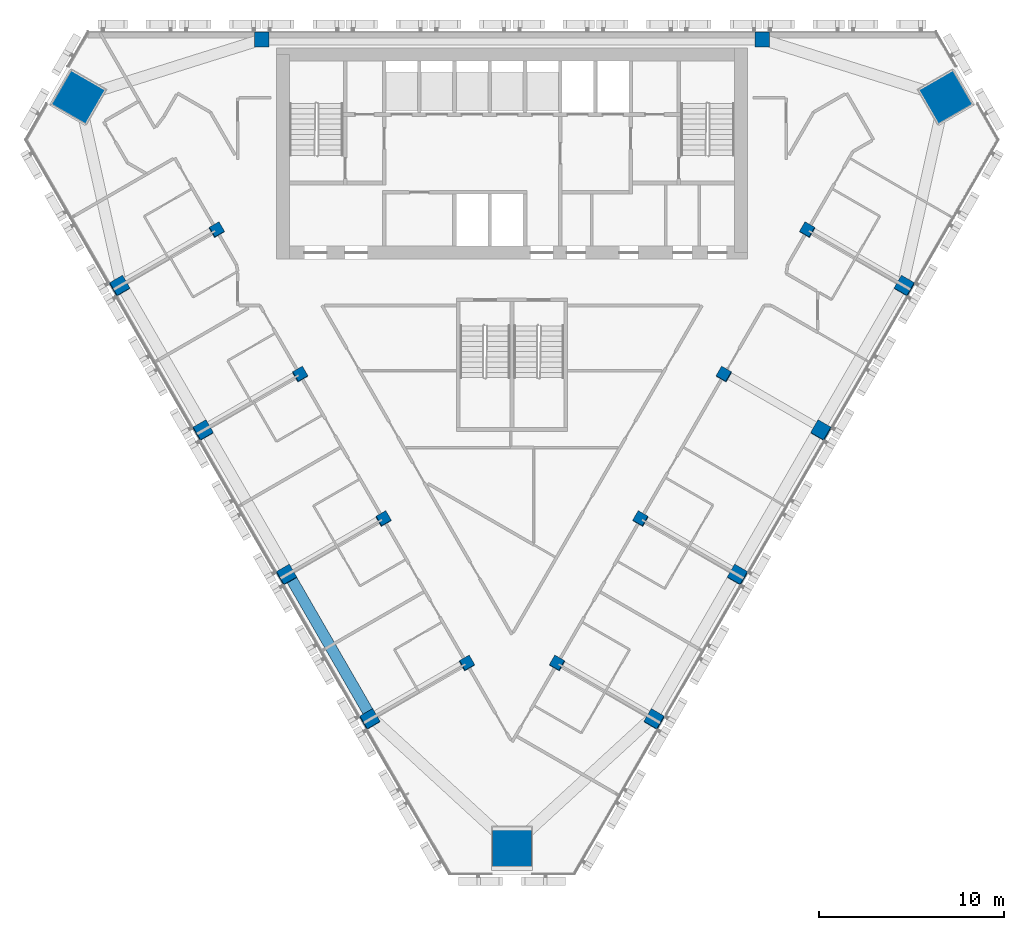
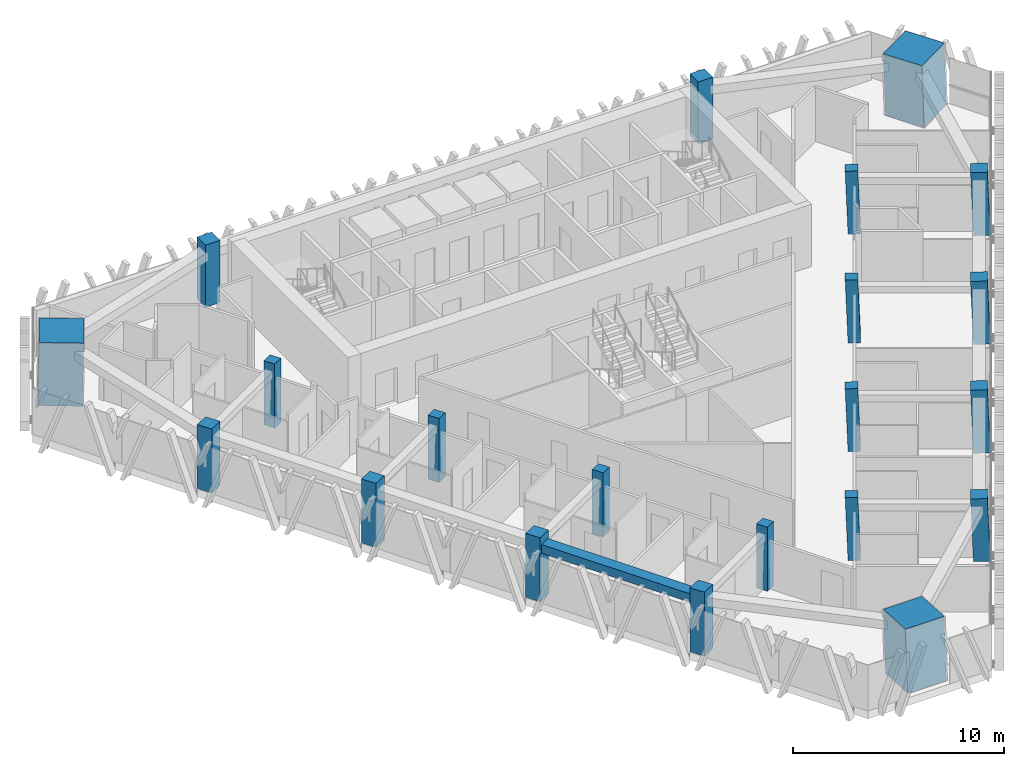
# One storey, part 1 of 16: 21 columns, 1 beam.
"""IFC4 building model written with IfcOpenShell, lengths in metres."""

import ifcopenshell
import ifcopenshell.guid

model = None  # the IFC model being written
_history = None  # IfcOwnerHistory: only IFC2X3 demands one
_inside = {}  # id of a spatial element -> (the spatial element, [elements in it])
_under = {}  # id of a project, library or spatial element -> (it, [spatial elements below it])
_declared = {}  # id of a project -> (the project, [libraries it declares])
_typed = {}  # id of a type object -> (the type object, [elements of that type])
_made_of = {}  # id of a material, layer set ... -> (it, [elements and type objects made of it])


def new_model(schema):
    """Start an empty IFC model of exactly this schema.

    Asked for "IFC4X3", IfcOpenShell would pick the latest addendum, in which some entities
    have other attributes; the version numbers below select the first issue.
    IFC2X3 requires an IfcOwnerHistory on every rooted entity: one is made here for all.
    """
    global model, _history
    if schema == "IFC4X3":
        model = ifcopenshell.file(schema_version=(4, 3, 0, 0))
    else:
        model = ifcopenshell.file(schema=schema)
    _inside.clear()
    _under.clear()
    _declared.clear()
    _typed.clear()
    _made_of.clear()
    _history = None
    if model.schema == "IFC2X3":
        org = make("IfcOrganization", Name="unknown")
        user = make(
            "IfcPersonAndOrganization",
            ThePerson=make("IfcPerson", FamilyName="unknown"),
            TheOrganization=org,
        )
        app = make(
            "IfcApplication",
            ApplicationDeveloper=org,
            Version="unknown",
            ApplicationFullName="unknown",
            ApplicationIdentifier="unknown",
        )
        _history = make(
            "IfcOwnerHistory",
            OwningUser=user,
            OwningApplication=app,
            ChangeAction="ADDED",
            CreationDate=0,
        )
    return model


def make(cls, **values):
    """One entity of the class cls with the attributes given. An attribute that is None is left unset."""
    return model.create_entity(
        cls, **{name: value for name, value in values.items() if value is not None}
    )


def rooted(cls, **values):
    """An entity with a GlobalId (a new one), such as an element, a storey or a relation."""
    return make(cls, GlobalId=ifcopenshell.guid.new(), OwnerHistory=_history, **values)


def si_unit(unit_type, name, prefix=None):
    """IfcSIUnit, for example si_unit("LENGTHUNIT", "METRE", prefix="MILLI")."""
    return make("IfcSIUnit", UnitType=unit_type, Prefix=prefix, Name=name)


def assignment(units):
    """IfcUnitAssignment: the units of a project."""
    return None if units is None else make("IfcUnitAssignment", Units=units)


def point(xyz):
    """IfcCartesianPoint."""
    return None if xyz is None else make("IfcCartesianPoint", Coordinates=xyz)


def direction(xyz):
    """IfcDirection."""
    return None if xyz is None else make("IfcDirection", DirectionRatios=xyz)


def frame(location, z_axis=None, x_axis=None):
    """IfcAxis2Placement3D, a coordinate frame: its origin and axes. An axis left out is left unset."""
    return make(
        "IfcAxis2Placement3D",
        Location=point(location),
        Axis=direction(z_axis),
        RefDirection=direction(x_axis),
    )


def frame_2d(location, x_axis=None):
    """IfcAxis2Placement2D, a coordinate frame in the plane: its origin and x axis."""
    return make(
        "IfcAxis2Placement2D", Location=point(location), RefDirection=direction(x_axis)
    )


def origin():
    """The frame at (0, 0, 0) with its axes left unset."""
    return frame((0.0, 0.0, 0.0))


def origin_2d():
    """The frame at (0, 0) in the plane with its x axis left unset."""
    return frame_2d((0.0, 0.0))


def place(relative_to, where):
    """IfcLocalPlacement: puts the frame where relative to a parent placement (None: the world)."""
    return make(
        "IfcLocalPlacement", PlacementRelTo=relative_to, RelativePlacement=where
    )


def context(
    kind, dimensions, precision=None, world=None, true_north=None, identifier=None
):
    """IfcGeometricRepresentationContext, for example the 3D "Model" context."""
    return make(
        "IfcGeometricRepresentationContext",
        ContextIdentifier=identifier,
        ContextType=kind,
        CoordinateSpaceDimension=dimensions,
        Precision=precision,
        WorldCoordinateSystem=world,
        TrueNorth=true_north,
    )


def subcontext(parent, identifier, kind, view, scale=None):
    """IfcGeometricRepresentationSubContext, for example "Body" below "Model"."""
    return make(
        "IfcGeometricRepresentationSubContext",
        ContextIdentifier=identifier,
        ContextType=kind,
        ParentContext=parent,
        TargetScale=scale,
        TargetView=view,
    )


def project(units=None, contexts=None):
    """IfcProject with its units and contexts."""
    return rooted(
        "IfcProject",
        Name="project",
        RepresentationContexts=contexts,
        UnitsInContext=assignment(units),
    )


def spatial(cls, under=None, at=None, **own):
    """A site, building, storey or space (cls), placed at a placement, below another one or the project."""
    s = rooted(cls, ObjectPlacement=at, **own)
    if under is not None:
        _under.setdefault(under.id(), (under, []))[1].append(s)
    return s


def profile(cls, at=None, kind="AREA", **sizes):
    """A parametric profile (cls). Its sizes go by their IFC names, for example OverallWidth=200.0."""
    return make(cls, ProfileType=kind, Position=at, **sizes)


def rectangle(**sizes):
    """IfcRectangleProfileDef."""
    return profile("IfcRectangleProfileDef", **sizes)


def extrude(swept, where, along, depth):
    """IfcExtrudedAreaSolid: the profile swept, set in the frame where, extruded along a direction by depth."""
    return make(
        "IfcExtrudedAreaSolid",
        SweptArea=swept,
        Position=where,
        ExtrudedDirection=direction(along),
        Depth=depth,
    )


def shape(context_of_items, identifier, shape_type, items):
    """IfcShapeRepresentation: the items that make up one representation, for example the "Body"."""
    return make(
        "IfcShapeRepresentation",
        ContextOfItems=context_of_items,
        RepresentationIdentifier=identifier,
        RepresentationType=shape_type,
        Items=items,
    )


def material(Name=None, Category=None):
    """IfcMaterial."""
    return make("IfcMaterial", Name=Name, Category=Category)


def material_profile(
    of_material, cross_section, Name=None, Category=None, Priority=None
):
    """IfcMaterialProfile: a cross section and its material."""
    return make(
        "IfcMaterialProfile",
        Name=Name,
        Material=of_material,
        Profile=cross_section,
        Priority=Priority,
        Category=Category,
    )


def profile_set(profiles, Name=None, composite=None):
    """IfcMaterialProfileSet."""
    return make(
        "IfcMaterialProfileSet",
        Name=Name,
        MaterialProfiles=profiles,
        CompositeProfile=composite,
    )


def made_of(thing, what):
    """Note that an element or type object is made of a material, layer set ...; save() writes the relation."""
    if what is not None:
        _made_of.setdefault(what.id(), (what, []))[1].append(thing)
    return thing


def type_object(cls, material=None, **own):
    """A type object (cls), such as IfcWallType, which elements share."""
    return made_of(rooted(cls, **own), material)


def element(
    cls,
    number,
    at=None,
    inside=None,
    cuts=None,
    type_object=None,
    material=None,
    context=None,
    identifier="Body",
    shape_type=None,
    held_by="IfcProductDefinitionShape",
    body=None,
    shapes=None,
    **own,
):
    """One element of the class cls, such as IfcWall. Its Tag is "e" and its number.

    at: its placement. inside: the storey or other place that contains it. cuts: it is an
    opening in that element (IfcRelVoidsElement). A single representation is given by context,
    identifier, shape_type and body (its items); several are given by shapes. held_by: the class
    of the entity that holds the representations. save() writes the other relations.
    """
    e = rooted(cls, Tag="e%d" % number, ObjectPlacement=at, **own)
    if body is not None:
        shapes = [shape(context, identifier, shape_type, body)]
    if shapes is not None:
        e.Representation = make(held_by, Representations=shapes)
    if inside is not None:
        _inside.setdefault(inside.id(), (inside, []))[1].append(e)
    if cuts is not None:
        rooted(
            "IfcRelVoidsElement", RelatingBuildingElement=cuts, RelatedOpeningElement=e
        )
    if type_object is not None:
        _typed.setdefault(type_object.id(), (type_object, []))[1].append(e)
    return made_of(e, material)


def aggregate(whole, parts):
    """IfcRelAggregates: a whole, such as a stair, and the parts it consists of."""
    return rooted("IfcRelAggregates", RelatingObject=whole, RelatedObjects=parts)


def save(model, path):
    """Write the relations noted so far, then the file.

    IfcRelAggregates (storeys below a building ...), IfcRelContainedInSpatialStructure (elements
    in a storey), IfcRelDefinesByType, IfcRelAssociatesMaterial and IfcRelDeclares: one each for
    every whole, place, type object, material and project.
    """
    for whole, parts in _under.values():
        aggregate(whole, parts)
    for where, things in _inside.values():
        rooted(
            "IfcRelContainedInSpatialStructure",
            RelatedElements=things,
            RelatingStructure=where,
        )
    for kind, things in _typed.values():
        rooted("IfcRelDefinesByType", RelatedObjects=things, RelatingType=kind)
    for what, things in _made_of.values():
        rooted("IfcRelAssociatesMaterial", RelatedObjects=things, RelatingMaterial=what)
    for by, libraries in _declared.values():
        rooted("IfcRelDeclares", RelatingContext=by, RelatedDefinitions=libraries)
    model.write(path)


model = new_model("IFC4")

# Units and contexts
model_context = context("Model", 3, precision=1e-05, world=origin(), true_north=direction((0.0, 1.0)))
body_context = subcontext(model_context, "Body", "Model", "MODEL_VIEW")
ifc_project = project(units=[si_unit("LENGTHUNIT", "METRE"), si_unit("AREAUNIT", "SQUARE_METRE"), si_unit("VOLUMEUNIT", "CUBIC_METRE"), si_unit("PLANEANGLEUNIT", "RADIAN"), si_unit("MASSUNIT", "GRAM", prefix="KILO")], contexts=[model_context])

# Site, building, storey
site_placement = place(None, origin())
site = spatial("IfcSite", under=ifc_project, at=site_placement, CompositionType="ELEMENT")
building_placement = place(site_placement, origin())
building = spatial("IfcBuilding", under=site, at=building_placement, Name="Altiplano Prism Tower", CompositionType="ELEMENT")
storey_placement = place(building_placement, frame((0.0, 0.0, 178.199951171875)))
storey = spatial("IfcBuildingStorey", under=building, at=storey_placement, Name="L46", CompositionType="ELEMENT", Elevation=178.199951171875)

# Columns
ifc_material_1 = material(Name="Concrete C60/75", Category="concrete")
ifc_material_profile_1 = material_profile(ifc_material_1, rectangle(XDim=0.60009765625, YDim=0.60009765625, at=origin_2d()), Name="Inner column 600")
ifc_profile_set_1 = profile_set([ifc_material_profile_1], Name="Concrete C60/75")
column_type_1 = type_object("IfcColumnType", Name="Inner column 600", PredefinedType="COLUMN", material=ifc_profile_set_1)
for number, where, z_axis, x_axis, name in (
    (1, (69.0517578125, 94.259521484375, -0.01806640625), (0.022222852987, 0.038483477124, 0.999012095419), (-0.865642058299, -0.49918203825, 0.038485316572), "Inner column I11 L46"),
    (2, (73.5517578125, 86.46533203125, -0.01806640625), (0.022222852987, 0.038483477124, 0.999012095419), (-0.865639352107, -0.499186721818, 0.038485436791), "Inner column I12 L46"),
    (3, (78.0517578125, 78.671142578125, -0.01806640625), (0.022222910879, 0.038415824599, 0.999014697916), (-0.866022865462, -0.498524997193, 0.038434667567), "Inner column I13 L46"),
    (4, (82.5517578125, 70.876953125, -0.01806640625), (0.022222910879, 0.038415824599, 0.999014697916), (-0.866022856744, -0.498525012308, 0.038434667955), "Inner column I14 L46"),
    (5, (87.4482421875, 70.876953125, -0.01806640625), (-0.022222910879, 0.038415824599, 0.999014697916), (-0.499510314037, -0.866023692819, 0.022190305244), "Inner column I21 L46"),
    (6, (91.9482421875, 78.671142578125, -0.01806640625), (-0.022222910879, 0.038415824599, 0.999014697916), (-0.499510298922, -0.86602370152, 0.022190305915), "Inner column I22 L46"),
    (7, (96.4482421875, 86.46533203125, -0.01806640625), (-0.022222852987, 0.038483477124, 0.999012095419), (-0.500174626395, -0.865639439229, 0.022219459073), "Inner column I23 L46"),
    (8, (100.9482421875, 94.259521484375, -0.01806640625), (-0.022222852987, 0.038483477124, 0.999012095419), (-0.500174611287, -0.865639447942, 0.022219459744), "Inner column I24 L46"),
):
    element("IfcColumn", number, at=place(storey_placement, frame(where, z_axis=z_axis, x_axis=x_axis)), inside=storey, type_object=column_type_1, Name=name, PredefinedType="COLUMN", context=body_context, shape_type="SweptSolid", body=[
        extrude(rectangle(XDim=0.60009765625, YDim=0.60009765625, at=origin_2d()), origin(), (0.0, 0.0, 1.0), 3.603515625),
    ])
ifc_material_2 = material(Name="Concrete C70/85", Category="concrete")
ifc_material_profile_2 = material_profile(ifc_material_2, rectangle(XDim=2.1201171875, YDim=2.1201171875, at=origin_2d()), Name="Mega column infill 2200")
ifc_profile_set_2 = profile_set([ifc_material_profile_2], Name="Concrete C70/85")
column_type_2 = type_object("IfcColumnType", Name="Mega column infill 2200", PredefinedType="COLUMN", material=ifc_profile_set_2)
column_1_placement = place(storey_placement, frame((61.54736328125, 101.419677734375, 0.0), z_axis=(0.028401796786, 0.009286506348, 0.999553449666), x_axis=(-0.866206321778, 0.499287135176, 0.019974102218)))
element("IfcColumn", 9, at=column_1_placement, inside=storey, type_object=column_type_2, Name="Mega column M0 L46", PredefinedType="COLUMN", context=body_context, shape_type="SweptSolid", body=[
    extrude(rectangle(XDim=2.1201171875, YDim=2.1201171875, at=origin_2d()), origin(), (0.0, 0.0, 1.0), 3.601806640625),
])
column_2_placement = place(storey_placement, frame((85.0, 60.798583984375, 0.0), z_axis=(0.0, 0.058356907999, 0.998295783467), x_axis=(-1.0, 0.0, 0.0)))
element("IfcColumn", 10, at=column_2_placement, inside=storey, type_object=column_type_2, Name="Mega column M1 L46", PredefinedType="COLUMN", context=body_context, shape_type="SweptSolid", body=[
    extrude(rectangle(XDim=2.1201171875, YDim=2.1201171875, at=origin_2d()), origin(), (0.0, 0.0, 1.0), 3.606201171875),
])
column_3_placement = place(storey_placement, frame((108.45263671875, 101.419677734375, 0.0), z_axis=(-0.028401796786, 0.009286506348, 0.999553449666), x_axis=(0.498873699713, -0.866389693121, 0.022224567214)))
element("IfcColumn", 11, at=column_3_placement, inside=storey, type_object=column_type_2, Name="Mega column M2 L46", PredefinedType="COLUMN", context=body_context, shape_type="SweptSolid", body=[
    extrude(rectangle(XDim=2.1201171875, YDim=2.1201171875, at=origin_2d()), origin(), (0.0, 0.0, 1.0), 3.601806640625),
])
ifc_material_profile_3 = material_profile(ifc_material_1, rectangle(XDim=0.800048828125, YDim=0.800048828125, at=origin_2d()), Name="Perimeter column 800")
ifc_profile_set_3 = profile_set([ifc_material_profile_3], Name="Concrete C60/75")
column_type_3 = type_object("IfcColumnType", Name="Perimeter column 800", PredefinedType="COLUMN", material=ifc_profile_set_3)
for number, where, z_axis, x_axis, name in (
    (12, (98.5, 104.550048828125, 0.0), (0.0, 0.0, 1.0), (1.0, 0.0, 0.0), "Perimeter column P01 L46"),
    (13, (71.5, 104.550048828125, 0.0), (0.0, 0.0, 1.0), (1.0, 0.0, 0.0), "Perimeter column P04 L46"),
):
    element("IfcColumn", number, at=place(storey_placement, frame(where, z_axis=z_axis, x_axis=x_axis)), inside=storey, type_object=column_type_3, Name=name, PredefinedType="COLUMN", context=body_context, shape_type="SweptSolid", body=[
        extrude(rectangle(XDim=0.800048828125, YDim=0.800048828125, at=origin_2d()), origin(), (0.0, 0.0, 1.0), 3.60009765625),
    ])
for number, where, z_axis, x_axis, name in (
    (14, (63.812255859375, 91.234375, -0.024169921875), (0.02215519141, 0.038415882353, 0.999016199807), (-0.865361947816, -0.499673614488, 0.038405445666), "Perimeter column P11 L46"),
    (15, (68.312255859375, 83.440185546875, -0.024169921875), (0.02215519141, 0.038415882353, 0.999016199807), (-0.865361939077, -0.499673629592, 0.038405446053), "Perimeter column P12 L46"),
    (16, (72.812255859375, 75.64599609375, -0.024169921875), (0.02215519141, 0.038415882353, 0.999016199807), (-0.865363476983, -0.49967097139, 0.038405377942), "Perimeter column P13 L46"),
    (17, (77.312255859375, 67.8515625, -0.024169921875), (0.022155133694, 0.038483534979, 0.999013597298), (-0.864981202279, -0.500328538739, 0.03845611822), "Perimeter column P14 L46"),
    (18, (92.687744140625, 67.8515625, -0.024169921875), (-0.022155133694, 0.038483534979, 0.999013597298), (-0.501314940687, -0.864979982924, 0.022202688687), "Perimeter column P21 L46"),
    (19, (97.187744140625, 75.64599609375, -0.024169921875), (-0.02215519141, 0.038415882353, 0.999016199807), (-0.500654771472, -0.865363010726, 0.022173395511), "Perimeter column P22 L46"),
    (20, (101.687744140625, 83.440185546875, -0.024169921875), (-0.02215519141, 0.038415882353, 0.999016199807), (-0.500657429676, -0.865361475843, 0.022173277538), "Perimeter column P23 L46"),
    (21, (106.187744140625, 91.234375, -0.024169921875), (-0.02215519141, 0.038415882353, 0.999016199807), (-0.500657414572, -0.865361484564, 0.022173278208), "Perimeter column P24 L46"),
):
    element("IfcColumn", number, at=place(storey_placement, frame(where, z_axis=z_axis, x_axis=x_axis)), inside=storey, type_object=column_type_3, Name=name, PredefinedType="COLUMN", context=body_context, shape_type="SweptSolid", body=[
        extrude(rectangle(XDim=0.800048828125, YDim=0.800048828125, at=origin_2d()), origin(), (0.0, 0.0, 1.0), 3.603515625),
    ])

# Beam
ifc_material_profile_4 = material_profile(ifc_material_1, rectangle(XDim=0.60009765625, YDim=0.5, at=origin_2d()), Name="Edge beam 600x500")
ifc_profile_set_4 = profile_set([ifc_material_profile_4], Name="Concrete C60/75")
beam_type = type_object("IfcBeamType", Name="Edge beam 600x500", PredefinedType="SPANDREL", material=ifc_profile_set_4)
beam_placement = place(storey_placement, frame((73.03271484375, 75.54296875, 2.900146484375), z_axis=(0.499993714791, -0.866029032521, 0.0), x_axis=(0.866029032521, 0.499993714791, 0.0)))
element("IfcBeam", 22, at=beam_placement, inside=storey, type_object=beam_type, Name="Edge beam P13-P14 L47", PredefinedType="SPANDREL", context=body_context, shape_type="SweptSolid", body=[
    extrude(rectangle(XDim=0.60009765625, YDim=0.5, at=origin_2d()), origin(), (0.0, 0.0, 1.0), 8.43994140625),
])

save(model, "model.ifc")
